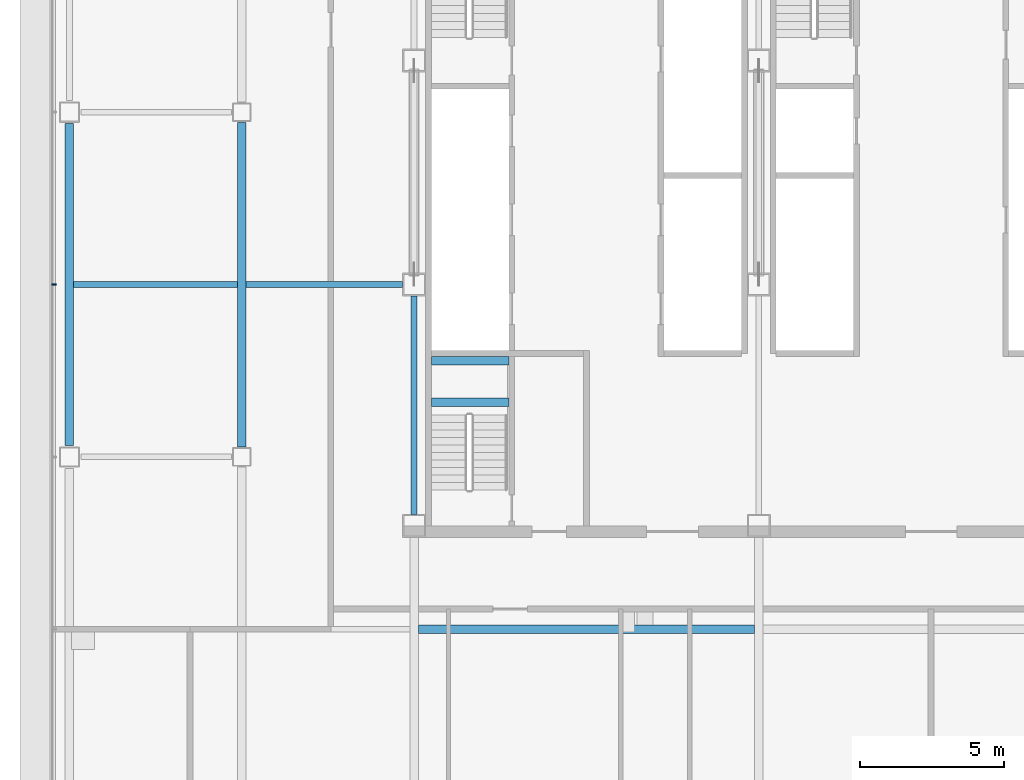
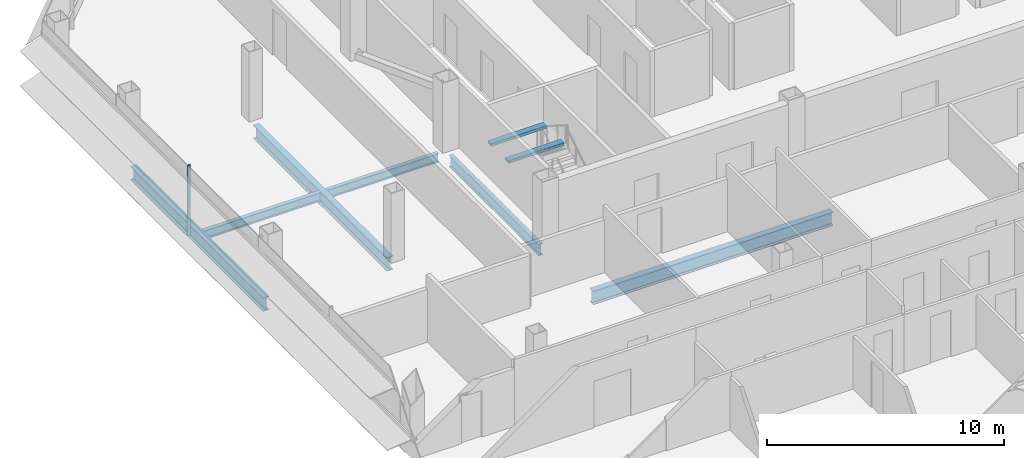
# One storey, part 6 of 26: 8 beams, 1 member, 1 element without a shape of its own.
"""IFC4 building model written with IfcOpenShell, lengths in metres."""

from ifc_helpers import new_model, si_unit, direction, frame, origin, origin_2d, place, context, subcontext, project, spatial, rectangle, i_section, extrude, material, material_profile, profile_set, type_object, element, aggregate, save


model = new_model("IFC4")

# Units and contexts
model_context = context("Model", 3, precision=1e-05, world=origin(), true_north=direction((0.0, 1.0)))
body_context = subcontext(model_context, "Body", "Model", "MODEL_VIEW")
ifc_project = project(units=[si_unit("LENGTHUNIT", "METRE"), si_unit("AREAUNIT", "SQUARE_METRE"), si_unit("VOLUMEUNIT", "CUBIC_METRE"), si_unit("PLANEANGLEUNIT", "RADIAN"), si_unit("MASSUNIT", "GRAM", prefix="KILO")], contexts=[model_context])

# Site, building, storey
site_placement = place(None, origin())
site = spatial("IfcSite", under=ifc_project, at=site_placement, CompositionType="ELEMENT")
building_placement = place(site_placement, origin())
building = spatial("IfcBuilding", under=site, at=building_placement, Name="Sorahane Residences", CompositionType="ELEMENT")
storey_placement = place(building_placement, frame((0.0, 0.0, 147.39990234375)))
storey = spatial("IfcBuildingStorey", under=building, at=storey_placement, Name="L33", CompositionType="ELEMENT", Elevation=147.39990234375)

# Curtain wall, member
ifc_material_1 = material(Name="Dark low-e glass and black anodised aluminium", Category="aluminium")
curtain_wall_type = type_object("IfcCurtainWallType", Name="Curtain wall CW-1 Typical unitised wall", PredefinedType="NOTDEFINED", material=ifc_material_1)
curtain_wall_placement = place(storey_placement, origin())
curtain_wall = element("IfcCurtainWall", 1, at=curtain_wall_placement, inside=storey, type_object=curtain_wall_type, Name="CW-1 curtain wall L33 W1", PredefinedType="NOTDEFINED")
ifc_material_2 = material(Name="Black anodised aluminium", Category="aluminium")
ifc_material_profile_1 = material_profile(ifc_material_2, rectangle(XDim=0.159912109375, YDim=0.050048828125, at=origin_2d()), Name="Curtain wall mullion CW-1 black anodised aluminium 50x160")
ifc_profile_set_1 = profile_set([ifc_material_profile_1], Name="Black anodised aluminium")
member_type = type_object("IfcMemberType", Name="Curtain wall mullion CW-1 black anodised aluminium 50x160", PredefinedType="MULLION", material=ifc_profile_set_1)
member_placement = place(storey_placement, frame((-6.5400390625, 30.0, -0.179931640625), z_axis=(0.0, 0.0, 1.0), x_axis=(-1.0, 0.0, 0.0)))
member = element("IfcMember", 2, at=member_placement, type_object=member_type, Name="CW-1 mullion L33 W1.3", PredefinedType="MULLION", context=body_context, shape_type="SweptSolid", body=[
    extrude(rectangle(XDim=0.159912109375, YDim=0.050048828125, at=origin_2d()), origin(), (0.0, 0.0, 1.0), 3.60009765625),
])
aggregate(curtain_wall, [member])

# Beams
ifc_material_3 = material(Name="Concrete C40", Category="concrete")
ifc_material_profile_2 = material_profile(ifc_material_3, rectangle(XDim=0.300048828125, YDim=0.139892578125, at=origin_2d()), Name="300x140")
ifc_profile_set_2 = profile_set([ifc_material_profile_2], Name="Concrete C40")
beam_type_1 = type_object("IfcBeamType", Name="RC landing beam 300 x 140 Concrete C40", PredefinedType="BEAM", material=ifc_profile_set_2)
for number, where, z_axis, x_axis, name in (
    (3, (6.60009765625, 25.89990234375, 1.530029296875), (1.0, 0.0, 0.0), (0.0, 1.0, 0.0), "Landing beam"),
    (4, (6.60009765625, 27.35009765625, 1.530029296875), (1.0, 0.0, 0.0), (0.0, 1.0, 0.0), "Landing beam"),
):
    element("IfcBeam", number, at=place(storey_placement, frame(where, z_axis=z_axis, x_axis=x_axis)), inside=storey, type_object=beam_type_1, Name=name, PredefinedType="BEAM", context=body_context, shape_type="SweptSolid", body=[
        extrude(rectangle(XDim=0.300048828125, YDim=0.139892578125, at=origin_2d()), origin(), (0.0, 0.0, 1.0), 2.699951171875),
    ])
ifc_material_4 = material(Name="Steel Q355B", Category="steel")
ifc_material_profile_3 = material_profile(ifc_material_4, i_section(OverallWidth=0.199951171875, OverallDepth=0.449951171875, WebThickness=0.009033203125, FlangeThickness=0.013916015625, FilletRadius=0.02001953125, at=origin_2d()), Name="HN 450x200x9x14")
ifc_profile_set_3 = profile_set([ifc_material_profile_3], Name="Steel Q355B")
beam_type_2 = type_object("IfcBeamType", Name="Steel floor beam HN 450x200x9x14 Q355B", PredefinedType="BEAM", material=ifc_profile_set_3)
beam_1_placement = place(storey_placement, frame((-5.85009765625, 30.0, -0.40478515625), z_axis=(1.0, 0.0, 0.0), x_axis=(0.0, 1.0, 0.0)))
element("IfcBeam", 5, at=beam_1_placement, inside=storey, type_object=beam_type_2, Name="Beam L33 085", PredefinedType="BEAM", context=body_context, shape_type="SweptSolid", body=[
    extrude(i_section(OverallWidth=0.199951171875, OverallDepth=0.449951171875, WebThickness=0.009033203125, FlangeThickness=0.013916015625, FilletRadius=0.02001953125, at=origin_2d()), origin(), (0.0, 0.0, 1.0), 5.7001953125),
])
beam_2_placement = place(storey_placement, frame((0.14990234375, 30.0, -0.40478515625), z_axis=(1.0, 0.0, 0.0), x_axis=(0.0, 1.0, 0.0)))
element("IfcBeam", 6, at=beam_2_placement, inside=storey, type_object=beam_type_2, Name="Beam L33 086", PredefinedType="BEAM", context=body_context, shape_type="SweptSolid", body=[
    extrude(i_section(OverallWidth=0.199951171875, OverallDepth=0.449951171875, WebThickness=0.009033203125, FlangeThickness=0.013916015625, FilletRadius=0.02001953125, at=origin_2d()), origin(), (0.0, 0.0, 1.0), 5.4501953125),
])
ifc_material_5 = material(Name="Steel Q355B", Category="steel")
ifc_material_profile_4 = material_profile(ifc_material_5, i_section(OverallWidth=0.199951171875, OverallDepth=0.60009765625, WebThickness=0.010986328125, FlangeThickness=0.01708984375, FilletRadius=0.02392578125, at=origin_2d()), Name="HN 600x200x11x17")
ifc_profile_set_4 = profile_set([ifc_material_profile_4], Name="Steel Q355B")
beam_type_3 = type_object("IfcBeamType", Name="Steel floor beam HN 600x200x11x17 Q355B", PredefinedType="BEAM", material=ifc_profile_set_4)
beam_3_placement = place(storey_placement, frame((6.0, 22.0, -0.47998046875), z_axis=(0.0, 1.0, 0.0), x_axis=(-1.0, 0.0, 0.0)))
element("IfcBeam", 7, at=beam_3_placement, inside=storey, type_object=beam_type_3, Name="Beam L33 030", PredefinedType="BEAM", context=body_context, shape_type="SweptSolid", body=[
    extrude(i_section(OverallWidth=0.199951171875, OverallDepth=0.60009765625, WebThickness=0.010986328125, FlangeThickness=0.01708984375, FilletRadius=0.02392578125, at=origin_2d()), origin(), (0.0, 0.0, 1.0), 7.60009765625),
])
ifc_material_6 = material(Name="Steel Q355B", Category="steel")
ifc_material_profile_5 = material_profile(ifc_material_6, i_section(OverallWidth=0.300048828125, OverallDepth=0.699951171875, WebThickness=0.012939453125, FlangeThickness=0.02392578125, FilletRadius=0.028076171875, at=origin_2d()), Name="HN 700x300x13x24")
ifc_profile_set_5 = profile_set([ifc_material_profile_5], Name="Steel Q355B")
beam_type_4 = type_object("IfcBeamType", Name="Steel floor beam HN 700x300x13x24 Q355B", PredefinedType="BEAM", material=ifc_profile_set_5)
beam_4_placement = place(storey_placement, frame((-6.0, 24.39990234375, -0.52978515625), z_axis=(0.0, 1.0, 0.0), x_axis=(-1.0, 0.0, 0.0)))
element("IfcBeam", 8, at=beam_4_placement, inside=storey, type_object=beam_type_4, Name="Beam L33 022", PredefinedType="BEAM", context=body_context, shape_type="SweptSolid", body=[
    extrude(i_section(OverallWidth=0.300048828125, OverallDepth=0.699951171875, WebThickness=0.012939453125, FlangeThickness=0.02392578125, FilletRadius=0.028076171875, at=origin_2d()), origin(), (0.0, 0.0, 1.0), 11.2001953125),
])
beam_5_placement = place(storey_placement, frame((0.0, 24.35009765625, -0.52978515625), z_axis=(0.0, 1.0, 0.0), x_axis=(-1.0, 0.0, 0.0)))
element("IfcBeam", 9, at=beam_5_placement, inside=storey, type_object=beam_type_4, Name="Beam L33 026", PredefinedType="BEAM", context=body_context, shape_type="SweptSolid", body=[
    extrude(i_section(OverallWidth=0.300048828125, OverallDepth=0.699951171875, WebThickness=0.012939453125, FlangeThickness=0.02392578125, FilletRadius=0.028076171875, at=origin_2d()), origin(), (0.0, 0.0, 1.0), 11.2998046875),
])
beam_6_placement = place(storey_placement, frame((6.14990234375, 18.0, -0.52978515625), z_axis=(1.0, 0.0, 0.0), x_axis=(0.0, 1.0, 0.0)))
element("IfcBeam", 10, at=beam_6_placement, inside=storey, type_object=beam_type_4, Name="Beam L33 080", PredefinedType="BEAM", context=body_context, shape_type="SweptSolid", body=[
    extrude(i_section(OverallWidth=0.300048828125, OverallDepth=0.699951171875, WebThickness=0.012939453125, FlangeThickness=0.02392578125, FilletRadius=0.028076171875, at=origin_2d()), origin(), (0.0, 0.0, 1.0), 11.7001953125),
])

save(model, "model.ifc")
